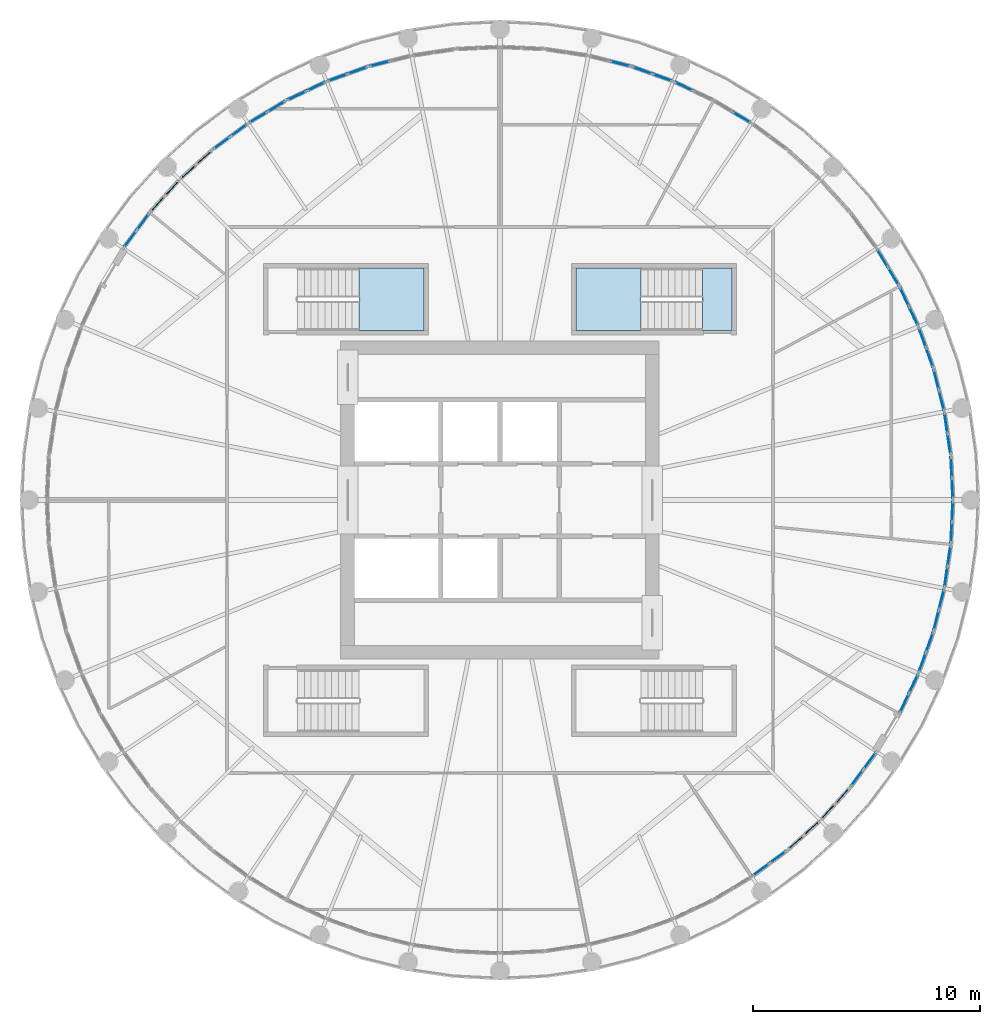
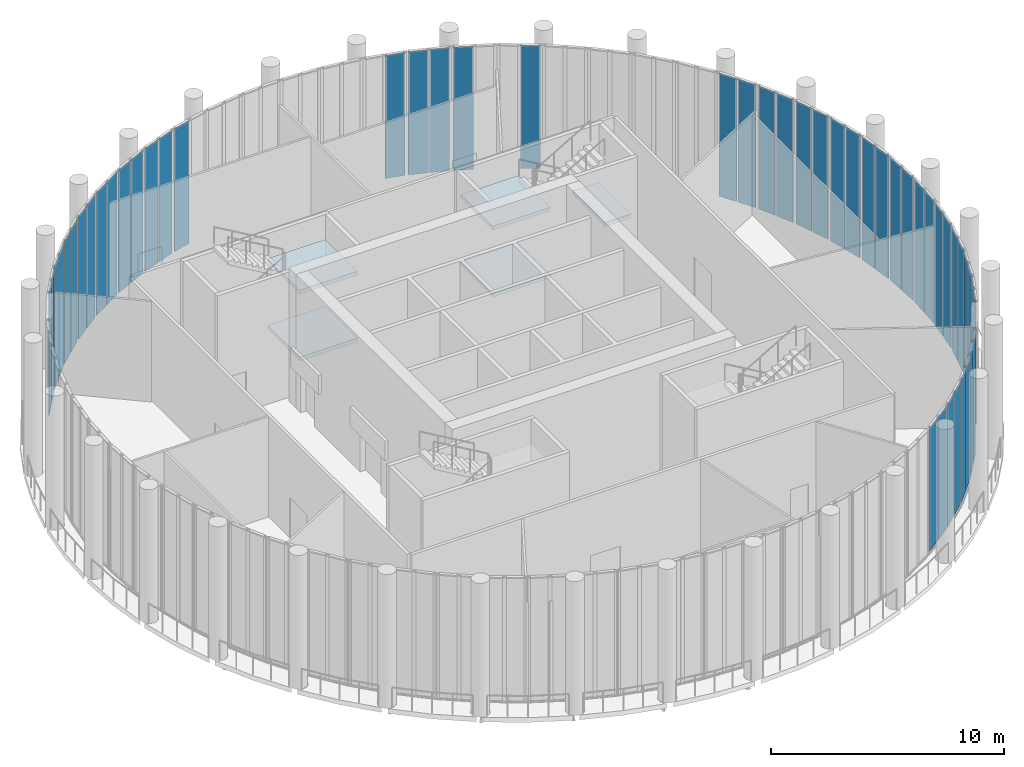
# One storey, part 14 of 21: 50 plates, 5 slabs, 29 elements without a shape of their own.
"""IFC4 building model written with IfcOpenShell, lengths in metres."""

from ifc_helpers import new_model, si_unit, direction, frame, origin, origin_2d, place, context, subcontext, project, spatial, polyline, rectangle, outline, extrude, material, layer, layer_set, type_object, element, aggregate, save


model = new_model("IFC4")

# Units and contexts
model_context = context("Model", 3, precision=1e-05, world=origin(), true_north=direction((0.0, 1.0)))
body_context = subcontext(model_context, "Body", "Model", "MODEL_VIEW")
ifc_project = project(units=[si_unit("LENGTHUNIT", "METRE"), si_unit("AREAUNIT", "SQUARE_METRE"), si_unit("VOLUMEUNIT", "CUBIC_METRE"), si_unit("PLANEANGLEUNIT", "RADIAN"), si_unit("MASSUNIT", "GRAM", prefix="KILO")], contexts=[model_context])

# Site, building, storey
site_placement = place(None, origin())
site = spatial("IfcSite", under=ifc_project, at=site_placement, CompositionType="ELEMENT")
building_placement = place(site_placement, origin())
building = spatial("IfcBuilding", under=site, at=building_placement, Name="Corvane Civic Tower", CompositionType="ELEMENT")
storey_placement = place(building_placement, frame((0.0, 0.0, 380.5)))
storey = spatial("IfcBuildingStorey", under=building, at=storey_placement, Name="L91", CompositionType="ELEMENT", Elevation=380.5)

# Curtain wall, plate
ifc_material_1 = material(Name="Aluminium and glass", Category="aluminium")
curtain_wall_type = type_object("IfcCurtainWallType", Name="CROWN-CW-O-RUN", PredefinedType="NOTDEFINED", material=ifc_material_1)
curtain_wall_1_placement = place(storey_placement, origin())
curtain_wall_1 = element("IfcCurtainWall", 1, at=curtain_wall_1_placement, inside=storey, type_object=curtain_wall_type, Name="CW-O run L91 3", PredefinedType="NOTDEFINED")
ifc_material_2 = material(Name="Glass tinted low-e laminated", Category="glass")
ifc_layer_1 = layer(ifc_material_2, 0.035888671875)
ifc_layer_set_1 = layer_set([ifc_layer_1], Name="Glass tinted low-e laminated")
plate_type = type_object("IfcPlateType", Name="CROWN-CWO-PANEL-IGU36", PredefinedType="CURTAIN_PANEL", material=ifc_layer_set_1)
plate_1_placement = place(storey_placement, frame((-5.28369140625, 19.177001953125, 0.06005859375), z_axis=(0.0, 0.0, 1.0), x_axis=(-0.970038385347, -0.242951704982, 0.0)))
plate_1 = element("IfcPlate", 2, at=plate_1_placement, type_object=plate_type, Name="CW-O panel 2.1", PredefinedType="CURTAIN_PANEL", context=body_context, shape_type="SweptSolid", body=[
    extrude(rectangle(XDim=0.871337890625, YDim=0.035888671875, at=origin_2d()), origin(), (0.0, 0.0, 1.0), 6.429931640625),
])
aggregate(curtain_wall_1, [plate_1])

# Curtain wall, plates
curtain_wall_2_placement = place(storey_placement, origin())
curtain_wall_2 = element("IfcCurtainWall", 3, at=curtain_wall_2_placement, inside=storey, type_object=curtain_wall_type, Name="CW-O run L91 4", PredefinedType="NOTDEFINED")
plate_2_placement = place(storey_placement, frame((-6.260986328125, 18.88037109375, 0.06005859375), z_axis=(0.0, 0.0, 1.0), x_axis=(-0.941511051216, -0.336982106999, 0.0)))
plate_2 = element("IfcPlate", 4, at=plate_2_placement, type_object=plate_type, Name="CW-O panel 1.1", PredefinedType="CURTAIN_PANEL", context=body_context, shape_type="SweptSolid", body=[
    extrude(rectangle(XDim=0.871337890625, YDim=0.035888671875, at=origin_2d()), origin(), (0.0, 0.0, 1.0), 6.429931640625),
])
plate_3_placement = place(storey_placement, frame((-7.1376953125, 18.566650390625, 0.06005859375), z_axis=(0.0, 0.0, 1.0), x_axis=(-0.941511051216, -0.336982106999, 0.0)))
plate_3 = element("IfcPlate", 5, at=plate_3_placement, type_object=plate_type, Name="CW-O panel 2.1", PredefinedType="CURTAIN_PANEL", context=body_context, shape_type="SweptSolid", body=[
    extrude(rectangle(XDim=0.871337890625, YDim=0.035888671875, at=origin_2d()), origin(), (0.0, 0.0, 1.0), 6.429931640625),
])
aggregate(curtain_wall_2, [plate_2, plate_3])

curtain_wall_3_placement = place(storey_placement, origin())
curtain_wall_3 = element("IfcCurtainWall", 6, at=curtain_wall_3_placement, inside=storey, type_object=curtain_wall_type, Name="CW-O run L91 5", PredefinedType="NOTDEFINED")
plate_4_placement = place(storey_placement, frame((-8.081298828125, 18.17578125, 0.06005859375), z_axis=(0.0, 0.0, 1.0), x_axis=(-0.904010875684, -0.427509457959, 0.0)))
plate_4 = element("IfcPlate", 7, at=plate_4_placement, type_object=plate_type, Name="CW-O panel 1.1", PredefinedType="CURTAIN_PANEL", context=body_context, shape_type="SweptSolid", body=[
    extrude(rectangle(XDim=0.871337890625, YDim=0.035888671875, at=origin_2d()), origin(), (0.0, 0.0, 1.0), 6.429931640625),
])
plate_5_placement = place(storey_placement, frame((-8.92333984375, 17.777587890625, 0.06005859375), z_axis=(0.0, 0.0, 1.0), x_axis=(-0.904010875684, -0.427509457959, 0.0)))
plate_5 = element("IfcPlate", 8, at=plate_5_placement, type_object=plate_type, Name="CW-O panel 2.1", PredefinedType="CURTAIN_PANEL", context=body_context, shape_type="SweptSolid", body=[
    extrude(rectangle(XDim=0.871337890625, YDim=0.035888671875, at=origin_2d()), origin(), (0.0, 0.0, 1.0), 6.429931640625),
])
aggregate(curtain_wall_3, [plate_4, plate_5])

curtain_wall_4_placement = place(storey_placement, origin())
curtain_wall_4 = element("IfcCurtainWall", 9, at=curtain_wall_4_placement, inside=storey, type_object=curtain_wall_type, Name="CW-O run L91 6", PredefinedType="NOTDEFINED")
plate_6_placement = place(storey_placement, frame((-9.823974609375, 17.296142578125, 0.06005859375), z_axis=(0.0, 0.0, 1.0), x_axis=(-0.857699380043, -0.514151508287, 0.0)))
plate_6 = element("IfcPlate", 10, at=plate_6_placement, type_object=plate_type, Name="CW-O panel 1.1", PredefinedType="CURTAIN_PANEL", context=body_context, shape_type="SweptSolid", body=[
    extrude(rectangle(XDim=0.871337890625, YDim=0.035888671875, at=origin_2d()), origin(), (0.0, 0.0, 1.0), 6.429931640625),
])
plate_7_placement = place(storey_placement, frame((-10.622802734375, 16.8173828125, 0.06005859375), z_axis=(0.0, 0.0, 1.0), x_axis=(-0.857699380043, -0.514151508287, 0.0)))
plate_7 = element("IfcPlate", 11, at=plate_7_placement, type_object=plate_type, Name="CW-O panel 2.1", PredefinedType="CURTAIN_PANEL", context=body_context, shape_type="SweptSolid", body=[
    extrude(rectangle(XDim=0.871337890625, YDim=0.035888671875, at=origin_2d()), origin(), (0.0, 0.0, 1.0), 6.429931640625),
])
aggregate(curtain_wall_4, [plate_6, plate_7])

curtain_wall_5_placement = place(storey_placement, origin())
curtain_wall_5 = element("IfcCurtainWall", 12, at=curtain_wall_5_placement, inside=storey, type_object=curtain_wall_type, Name="CW-O run L91 7", PredefinedType="NOTDEFINED")
plate_8_placement = place(storey_placement, frame((-11.471923828125, 16.25, 0.06005859375), z_axis=(0.0, 0.0, 1.0), x_axis=(-0.803190345058, -0.595722477003, 0.0)))
plate_8 = element("IfcPlate", 13, at=plate_8_placement, type_object=plate_type, Name="CW-O panel 1.1", PredefinedType="CURTAIN_PANEL", context=body_context, shape_type="SweptSolid", body=[
    extrude(rectangle(XDim=0.871337890625, YDim=0.035888671875, at=origin_2d()), origin(), (0.0, 0.0, 1.0), 6.429931640625),
])
plate_9_placement = place(storey_placement, frame((-12.219970703125, 15.695068359375, 0.06005859375), z_axis=(0.0, 0.0, 1.0), x_axis=(-0.803190345058, -0.595722477003, 0.0)))
plate_9 = element("IfcPlate", 14, at=plate_9_placement, type_object=plate_type, Name="CW-O panel 2.1", PredefinedType="CURTAIN_PANEL", context=body_context, shape_type="SweptSolid", body=[
    extrude(rectangle(XDim=0.871337890625, YDim=0.035888671875, at=origin_2d()), origin(), (0.0, 0.0, 1.0), 6.429931640625),
])
aggregate(curtain_wall_5, [plate_8, plate_9])

curtain_wall_6_placement = place(storey_placement, origin())
curtain_wall_6 = element("IfcCurtainWall", 15, at=curtain_wall_6_placement, inside=storey, type_object=curtain_wall_type, Name="CW-O run L91 8", PredefinedType="NOTDEFINED")
plate_10_placement = place(storey_placement, frame((-13.00927734375, 15.047119140625, 0.06005859375), z_axis=(0.0, 0.0, 1.0), x_axis=(-0.740944089448, -0.671566717692, 0.0)))
plate_10 = element("IfcPlate", 16, at=plate_10_placement, type_object=plate_type, Name="CW-O panel 1.1", PredefinedType="CURTAIN_PANEL", context=body_context, shape_type="SweptSolid", body=[
    extrude(rectangle(XDim=0.871337890625, YDim=0.035888671875, at=origin_2d()), origin(), (0.0, 0.0, 1.0), 6.429931640625),
])
plate_11_placement = place(storey_placement, frame((-13.699462890625, 14.421630859375, 0.06005859375), z_axis=(0.0, 0.0, 1.0), x_axis=(-0.740944089448, -0.671566717692, 0.0)))
plate_11 = element("IfcPlate", 17, at=plate_11_placement, type_object=plate_type, Name="CW-O panel 2.1", PredefinedType="CURTAIN_PANEL", context=body_context, shape_type="SweptSolid", body=[
    extrude(rectangle(XDim=0.871337890625, YDim=0.035888671875, at=origin_2d()), origin(), (0.0, 0.0, 1.0), 6.429931640625),
])
aggregate(curtain_wall_6, [plate_10, plate_11])

curtain_wall_7_placement = place(storey_placement, origin())
curtain_wall_7 = element("IfcCurtainWall", 18, at=curtain_wall_7_placement, inside=storey, type_object=curtain_wall_type, Name="CW-O run L91 9", PredefinedType="NOTDEFINED")
plate_12_placement = place(storey_placement, frame((-14.421630859375, 13.699462890625, 0.06005859375), z_axis=(0.0, 0.0, 1.0), x_axis=(-0.671566717692, -0.740944089448, 0.0)))
plate_12 = element("IfcPlate", 19, at=plate_12_placement, type_object=plate_type, Name="CW-O panel 1.1", PredefinedType="CURTAIN_PANEL", context=body_context, shape_type="SweptSolid", body=[
    extrude(rectangle(XDim=0.871337890625, YDim=0.035888671875, at=origin_2d()), origin(), (0.0, 0.0, 1.0), 6.429931640625),
])
plate_13_placement = place(storey_placement, frame((-15.047119140625, 13.00927734375, 0.06005859375), z_axis=(0.0, 0.0, 1.0), x_axis=(-0.671566717692, -0.740944089448, 0.0)))
plate_13 = element("IfcPlate", 20, at=plate_13_placement, type_object=plate_type, Name="CW-O panel 2.1", PredefinedType="CURTAIN_PANEL", context=body_context, shape_type="SweptSolid", body=[
    extrude(rectangle(XDim=0.871337890625, YDim=0.035888671875, at=origin_2d()), origin(), (0.0, 0.0, 1.0), 6.429931640625),
])
aggregate(curtain_wall_7, [plate_12, plate_13])

curtain_wall_8_placement = place(storey_placement, origin())
curtain_wall_8 = element("IfcCurtainWall", 21, at=curtain_wall_8_placement, inside=storey, type_object=curtain_wall_type, Name="CW-O run L91 10", PredefinedType="NOTDEFINED")
plate_14_placement = place(storey_placement, frame((-15.695068359375, 12.219970703125, 0.06005859375), z_axis=(0.0, 0.0, 1.0), x_axis=(-0.595722477003, -0.803190345058, 0.0)))
plate_14 = element("IfcPlate", 22, at=plate_14_placement, type_object=plate_type, Name="CW-O panel 1.1", PredefinedType="CURTAIN_PANEL", context=body_context, shape_type="SweptSolid", body=[
    extrude(rectangle(XDim=0.871337890625, YDim=0.035888671875, at=origin_2d()), origin(), (0.0, 0.0, 1.0), 6.429931640625),
])
plate_15_placement = place(storey_placement, frame((-16.25, 11.471923828125, 0.06005859375), z_axis=(0.0, 0.0, 1.0), x_axis=(-0.595722477003, -0.803190345058, 0.0)))
plate_15 = element("IfcPlate", 23, at=plate_15_placement, type_object=plate_type, Name="CW-O panel 2.1", PredefinedType="CURTAIN_PANEL", context=body_context, shape_type="SweptSolid", body=[
    extrude(rectangle(XDim=0.871337890625, YDim=0.035888671875, at=origin_2d()), origin(), (0.0, 0.0, 1.0), 6.429931640625),
])
aggregate(curtain_wall_8, [plate_14, plate_15])

curtain_wall_9_placement = place(storey_placement, origin())
curtain_wall_9 = element("IfcCurtainWall", 24, at=curtain_wall_9_placement, inside=storey, type_object=curtain_wall_type, Name="CW-O run L91 39", PredefinedType="NOTDEFINED")
plate_16_placement = place(storey_placement, frame((11.471923828125, -16.25, 0.06005859375), z_axis=(0.0, 0.0, 1.0), x_axis=(0.803190345058, 0.595722477003, 0.0)))
plate_16 = element("IfcPlate", 25, at=plate_16_placement, type_object=plate_type, Name="CW-O panel 1.1", PredefinedType="CURTAIN_PANEL", context=body_context, shape_type="SweptSolid", body=[
    extrude(rectangle(XDim=0.871337890625, YDim=0.035888671875, at=origin_2d()), origin(), (0.0, 0.0, 1.0), 6.429931640625),
])
plate_17_placement = place(storey_placement, frame((12.219970703125, -15.695068359375, 0.06005859375), z_axis=(0.0, 0.0, 1.0), x_axis=(0.803190345058, 0.595722477003, 0.0)))
plate_17 = element("IfcPlate", 26, at=plate_17_placement, type_object=plate_type, Name="CW-O panel 2.1", PredefinedType="CURTAIN_PANEL", context=body_context, shape_type="SweptSolid", body=[
    extrude(rectangle(XDim=0.871337890625, YDim=0.035888671875, at=origin_2d()), origin(), (0.0, 0.0, 1.0), 6.429931640625),
])
aggregate(curtain_wall_9, [plate_16, plate_17])

curtain_wall_10_placement = place(storey_placement, origin())
curtain_wall_10 = element("IfcCurtainWall", 27, at=curtain_wall_10_placement, inside=storey, type_object=curtain_wall_type, Name="CW-O run L91 40", PredefinedType="NOTDEFINED")
plate_18_placement = place(storey_placement, frame((13.00927734375, -15.047119140625, 0.06005859375), z_axis=(0.0, 0.0, 1.0), x_axis=(0.740944089448, 0.671566717692, 0.0)))
plate_18 = element("IfcPlate", 28, at=plate_18_placement, type_object=plate_type, Name="CW-O panel 1.1", PredefinedType="CURTAIN_PANEL", context=body_context, shape_type="SweptSolid", body=[
    extrude(rectangle(XDim=0.871337890625, YDim=0.035888671875, at=origin_2d()), origin(), (0.0, 0.0, 1.0), 6.429931640625),
])
plate_19_placement = place(storey_placement, frame((13.699462890625, -14.421630859375, 0.06005859375), z_axis=(0.0, 0.0, 1.0), x_axis=(0.740944089448, 0.671566717692, 0.0)))
plate_19 = element("IfcPlate", 29, at=plate_19_placement, type_object=plate_type, Name="CW-O panel 2.1", PredefinedType="CURTAIN_PANEL", context=body_context, shape_type="SweptSolid", body=[
    extrude(rectangle(XDim=0.871337890625, YDim=0.035888671875, at=origin_2d()), origin(), (0.0, 0.0, 1.0), 6.429931640625),
])
aggregate(curtain_wall_10, [plate_18, plate_19])

curtain_wall_11_placement = place(storey_placement, origin())
curtain_wall_11 = element("IfcCurtainWall", 30, at=curtain_wall_11_placement, inside=storey, type_object=curtain_wall_type, Name="CW-O run L91 41", PredefinedType="NOTDEFINED")
plate_20_placement = place(storey_placement, frame((14.421630859375, -13.699462890625, 0.06005859375), z_axis=(0.0, 0.0, 1.0), x_axis=(0.671566717692, 0.740944089448, 0.0)))
plate_20 = element("IfcPlate", 31, at=plate_20_placement, type_object=plate_type, Name="CW-O panel 1.1", PredefinedType="CURTAIN_PANEL", context=body_context, shape_type="SweptSolid", body=[
    extrude(rectangle(XDim=0.871337890625, YDim=0.035888671875, at=origin_2d()), origin(), (0.0, 0.0, 1.0), 6.429931640625),
])
plate_21_placement = place(storey_placement, frame((15.047119140625, -13.00927734375, 0.06005859375), z_axis=(0.0, 0.0, 1.0), x_axis=(0.671566717692, 0.740944089448, 0.0)))
plate_21 = element("IfcPlate", 32, at=plate_21_placement, type_object=plate_type, Name="CW-O panel 2.1", PredefinedType="CURTAIN_PANEL", context=body_context, shape_type="SweptSolid", body=[
    extrude(rectangle(XDim=0.871337890625, YDim=0.035888671875, at=origin_2d()), origin(), (0.0, 0.0, 1.0), 6.429931640625),
])
aggregate(curtain_wall_11, [plate_20, plate_21])

curtain_wall_12_placement = place(storey_placement, origin())
curtain_wall_12 = element("IfcCurtainWall", 33, at=curtain_wall_12_placement, inside=storey, type_object=curtain_wall_type, Name="CW-O run L91 42", PredefinedType="NOTDEFINED")
plate_22_placement = place(storey_placement, frame((15.695068359375, -12.219970703125, 0.06005859375), z_axis=(0.0, 0.0, 1.0), x_axis=(0.595722477003, 0.803190345058, 0.0)))
plate_22 = element("IfcPlate", 34, at=plate_22_placement, type_object=plate_type, Name="CW-O panel 1.1", PredefinedType="CURTAIN_PANEL", context=body_context, shape_type="SweptSolid", body=[
    extrude(rectangle(XDim=0.871337890625, YDim=0.035888671875, at=origin_2d()), origin(), (0.0, 0.0, 1.0), 6.429931640625),
])
plate_23_placement = place(storey_placement, frame((16.25, -11.471923828125, 0.06005859375), z_axis=(0.0, 0.0, 1.0), x_axis=(0.595722477003, 0.803190345058, 0.0)))
plate_23 = element("IfcPlate", 35, at=plate_23_placement, type_object=plate_type, Name="CW-O panel 2.1", PredefinedType="CURTAIN_PANEL", context=body_context, shape_type="SweptSolid", body=[
    extrude(rectangle(XDim=0.871337890625, YDim=0.035888671875, at=origin_2d()), origin(), (0.0, 0.0, 1.0), 6.429931640625),
])
aggregate(curtain_wall_12, [plate_22, plate_23])

curtain_wall_13_placement = place(storey_placement, origin())
curtain_wall_13 = element("IfcCurtainWall", 36, at=curtain_wall_13_placement, inside=storey, type_object=curtain_wall_type, Name="CW-O run L91 44", PredefinedType="NOTDEFINED")
plate_24_placement = place(storey_placement, frame((17.777587890625, -8.92333984375, 0.06005859375), z_axis=(0.0, 0.0, 1.0), x_axis=(0.427509457959, 0.904010875684, 0.0)))
plate_24 = element("IfcPlate", 37, at=plate_24_placement, type_object=plate_type, Name="CW-O panel 1.1", PredefinedType="CURTAIN_PANEL", context=body_context, shape_type="SweptSolid", body=[
    extrude(rectangle(XDim=0.871337890625, YDim=0.035888671875, at=origin_2d()), origin(), (0.0, 0.0, 1.0), 6.429931640625),
])
plate_25_placement = place(storey_placement, frame((18.17578125, -8.081298828125, 0.06005859375), z_axis=(0.0, 0.0, 1.0), x_axis=(0.427509457959, 0.904010875684, 0.0)))
plate_25 = element("IfcPlate", 38, at=plate_25_placement, type_object=plate_type, Name="CW-O panel 2.1", PredefinedType="CURTAIN_PANEL", context=body_context, shape_type="SweptSolid", body=[
    extrude(rectangle(XDim=0.871337890625, YDim=0.035888671875, at=origin_2d()), origin(), (0.0, 0.0, 1.0), 6.429931640625),
])
aggregate(curtain_wall_13, [plate_24, plate_25])

curtain_wall_14_placement = place(storey_placement, origin())
curtain_wall_14 = element("IfcCurtainWall", 39, at=curtain_wall_14_placement, inside=storey, type_object=curtain_wall_type, Name="CW-O run L91 45", PredefinedType="NOTDEFINED")
plate_26_placement = place(storey_placement, frame((18.566650390625, -7.1376953125, 0.06005859375), z_axis=(0.0, 0.0, 1.0), x_axis=(0.336982106999, 0.941511051216, 0.0)))
plate_26 = element("IfcPlate", 40, at=plate_26_placement, type_object=plate_type, Name="CW-O panel 1.1", PredefinedType="CURTAIN_PANEL", context=body_context, shape_type="SweptSolid", body=[
    extrude(rectangle(XDim=0.871337890625, YDim=0.035888671875, at=origin_2d()), origin(), (0.0, 0.0, 1.0), 6.429931640625),
])
plate_27_placement = place(storey_placement, frame((18.88037109375, -6.260986328125, 0.06005859375), z_axis=(0.0, 0.0, 1.0), x_axis=(0.336982106999, 0.941511051216, 0.0)))
plate_27 = element("IfcPlate", 41, at=plate_27_placement, type_object=plate_type, Name="CW-O panel 2.1", PredefinedType="CURTAIN_PANEL", context=body_context, shape_type="SweptSolid", body=[
    extrude(rectangle(XDim=0.871337890625, YDim=0.035888671875, at=origin_2d()), origin(), (0.0, 0.0, 1.0), 6.429931640625),
])
aggregate(curtain_wall_14, [plate_26, plate_27])

curtain_wall_15_placement = place(storey_placement, origin())
curtain_wall_15 = element("IfcCurtainWall", 42, at=curtain_wall_15_placement, inside=storey, type_object=curtain_wall_type, Name="CW-O run L91 46", PredefinedType="NOTDEFINED")
plate_28_placement = place(storey_placement, frame((19.177001953125, -5.28369140625, 0.06005859375), z_axis=(0.0, 0.0, 1.0), x_axis=(0.242951704982, 0.970038385347, 0.0)))
plate_28 = element("IfcPlate", 43, at=plate_28_placement, type_object=plate_type, Name="CW-O panel 1.1", PredefinedType="CURTAIN_PANEL", context=body_context, shape_type="SweptSolid", body=[
    extrude(rectangle(XDim=0.871337890625, YDim=0.035888671875, at=origin_2d()), origin(), (0.0, 0.0, 1.0), 6.429931640625),
])
plate_29_placement = place(storey_placement, frame((19.403076171875, -4.380126953125, 0.06005859375), z_axis=(0.0, 0.0, 1.0), x_axis=(0.242951704982, 0.970038385347, 0.0)))
plate_29 = element("IfcPlate", 44, at=plate_29_placement, type_object=plate_type, Name="CW-O panel 2.1", PredefinedType="CURTAIN_PANEL", context=body_context, shape_type="SweptSolid", body=[
    extrude(rectangle(XDim=0.871337890625, YDim=0.035888671875, at=origin_2d()), origin(), (0.0, 0.0, 1.0), 6.429931640625),
])
aggregate(curtain_wall_15, [plate_28, plate_29])

curtain_wall_16_placement = place(storey_placement, origin())
curtain_wall_16 = element("IfcCurtainWall", 45, at=curtain_wall_16_placement, inside=storey, type_object=curtain_wall_type, Name="CW-O run L91 47", PredefinedType="NOTDEFINED")
plate_30_placement = place(storey_placement, frame((19.602294921875, -3.378662109375, 0.06005859375), z_axis=(0.0, 0.0, 1.0), x_axis=(0.146771076941, 0.989170486303, 0.0)))
plate_30 = element("IfcPlate", 46, at=plate_30_placement, type_object=plate_type, Name="CW-O panel 1.1", PredefinedType="CURTAIN_PANEL", context=body_context, shape_type="SweptSolid", body=[
    extrude(rectangle(XDim=0.871337890625, YDim=0.035888671875, at=origin_2d()), origin(), (0.0, 0.0, 1.0), 6.429931640625),
])
plate_31_placement = place(storey_placement, frame((19.739013671875, -2.457275390625, 0.06005859375), z_axis=(0.0, 0.0, 1.0), x_axis=(0.146771076941, 0.989170486303, 0.0)))
plate_31 = element("IfcPlate", 47, at=plate_31_placement, type_object=plate_type, Name="CW-O panel 2.1", PredefinedType="CURTAIN_PANEL", context=body_context, shape_type="SweptSolid", body=[
    extrude(rectangle(XDim=0.871337890625, YDim=0.035888671875, at=origin_2d()), origin(), (0.0, 0.0, 1.0), 6.429931640625),
])
aggregate(curtain_wall_16, [plate_30, plate_31])

curtain_wall_17_placement = place(storey_placement, origin())
curtain_wall_17 = element("IfcCurtainWall", 48, at=curtain_wall_17_placement, inside=storey, type_object=curtain_wall_type, Name="CW-O run L91 48", PredefinedType="NOTDEFINED")
plate_32_placement = place(storey_placement, frame((19.839111328125, -1.44091796875, 0.06005859375), z_axis=(0.0, 0.0, 1.0), x_axis=(0.048990829113, 0.998799228405, 0.0)))
plate_32 = element("IfcPlate", 49, at=plate_32_placement, type_object=plate_type, Name="CW-O panel 1.1", PredefinedType="CURTAIN_PANEL", context=body_context, shape_type="SweptSolid", body=[
    extrude(rectangle(XDim=0.871337890625, YDim=0.035888671875, at=origin_2d()), origin(), (0.0, 0.0, 1.0), 6.429931640625),
])
plate_33_placement = place(storey_placement, frame((19.884765625, -0.5107421875, 0.06005859375), z_axis=(0.0, 0.0, 1.0), x_axis=(0.048990829113, 0.998799228405, 0.0)))
plate_33 = element("IfcPlate", 50, at=plate_33_placement, type_object=plate_type, Name="CW-O panel 2.1", PredefinedType="CURTAIN_PANEL", context=body_context, shape_type="SweptSolid", body=[
    extrude(rectangle(XDim=0.871337890625, YDim=0.035888671875, at=origin_2d()), origin(), (0.0, 0.0, 1.0), 6.429931640625),
])
aggregate(curtain_wall_17, [plate_32, plate_33])

curtain_wall_18_placement = place(storey_placement, origin())
curtain_wall_18 = element("IfcCurtainWall", 51, at=curtain_wall_18_placement, inside=storey, type_object=curtain_wall_type, Name="CW-O run L91 49", PredefinedType="NOTDEFINED")
plate_34_placement = place(storey_placement, frame((19.884765625, 0.5107421875, 0.06005859375), z_axis=(0.0, 0.0, 1.0), x_axis=(-0.048990829113, 0.998799228405, 0.0)))
plate_34 = element("IfcPlate", 52, at=plate_34_placement, type_object=plate_type, Name="CW-O panel 1.1", PredefinedType="CURTAIN_PANEL", context=body_context, shape_type="SweptSolid", body=[
    extrude(rectangle(XDim=0.871337890625, YDim=0.035888671875, at=origin_2d()), origin(), (0.0, 0.0, 1.0), 6.429931640625),
])
plate_35_placement = place(storey_placement, frame((19.839111328125, 1.44091796875, 0.06005859375), z_axis=(0.0, 0.0, 1.0), x_axis=(-0.048990829113, 0.998799228405, 0.0)))
plate_35 = element("IfcPlate", 53, at=plate_35_placement, type_object=plate_type, Name="CW-O panel 2.1", PredefinedType="CURTAIN_PANEL", context=body_context, shape_type="SweptSolid", body=[
    extrude(rectangle(XDim=0.871337890625, YDim=0.035888671875, at=origin_2d()), origin(), (0.0, 0.0, 1.0), 6.429931640625),
])
aggregate(curtain_wall_18, [plate_34, plate_35])

curtain_wall_19_placement = place(storey_placement, origin())
curtain_wall_19 = element("IfcCurtainWall", 54, at=curtain_wall_19_placement, inside=storey, type_object=curtain_wall_type, Name="CW-O run L91 50", PredefinedType="NOTDEFINED")
plate_36_placement = place(storey_placement, frame((19.739013671875, 2.457275390625, 0.06005859375), z_axis=(0.0, 0.0, 1.0), x_axis=(-0.146771076941, 0.989170486303, 0.0)))
plate_36 = element("IfcPlate", 55, at=plate_36_placement, type_object=plate_type, Name="CW-O panel 1.1", PredefinedType="CURTAIN_PANEL", context=body_context, shape_type="SweptSolid", body=[
    extrude(rectangle(XDim=0.871337890625, YDim=0.035888671875, at=origin_2d()), origin(), (0.0, 0.0, 1.0), 6.429931640625),
])
plate_37_placement = place(storey_placement, frame((19.602294921875, 3.378662109375, 0.06005859375), z_axis=(0.0, 0.0, 1.0), x_axis=(-0.146771076941, 0.989170486303, 0.0)))
plate_37 = element("IfcPlate", 56, at=plate_37_placement, type_object=plate_type, Name="CW-O panel 2.1", PredefinedType="CURTAIN_PANEL", context=body_context, shape_type="SweptSolid", body=[
    extrude(rectangle(XDim=0.871337890625, YDim=0.035888671875, at=origin_2d()), origin(), (0.0, 0.0, 1.0), 6.429931640625),
])
aggregate(curtain_wall_19, [plate_36, plate_37])

curtain_wall_20_placement = place(storey_placement, origin())
curtain_wall_20 = element("IfcCurtainWall", 57, at=curtain_wall_20_placement, inside=storey, type_object=curtain_wall_type, Name="CW-O run L91 51", PredefinedType="NOTDEFINED")
plate_38_placement = place(storey_placement, frame((19.403076171875, 4.380126953125, 0.06005859375), z_axis=(0.0, 0.0, 1.0), x_axis=(-0.242951704982, 0.970038385347, 0.0)))
plate_38 = element("IfcPlate", 58, at=plate_38_placement, type_object=plate_type, Name="CW-O panel 1.1", PredefinedType="CURTAIN_PANEL", context=body_context, shape_type="SweptSolid", body=[
    extrude(rectangle(XDim=0.871337890625, YDim=0.035888671875, at=origin_2d()), origin(), (0.0, 0.0, 1.0), 6.429931640625),
])
plate_39_placement = place(storey_placement, frame((19.177001953125, 5.28369140625, 0.06005859375), z_axis=(0.0, 0.0, 1.0), x_axis=(-0.242951704982, 0.970038385347, 0.0)))
plate_39 = element("IfcPlate", 59, at=plate_39_placement, type_object=plate_type, Name="CW-O panel 2.1", PredefinedType="CURTAIN_PANEL", context=body_context, shape_type="SweptSolid", body=[
    extrude(rectangle(XDim=0.871337890625, YDim=0.035888671875, at=origin_2d()), origin(), (0.0, 0.0, 1.0), 6.429931640625),
])
aggregate(curtain_wall_20, [plate_38, plate_39])

curtain_wall_21_placement = place(storey_placement, origin())
curtain_wall_21 = element("IfcCurtainWall", 60, at=curtain_wall_21_placement, inside=storey, type_object=curtain_wall_type, Name="CW-O run L91 52", PredefinedType="NOTDEFINED")
plate_40_placement = place(storey_placement, frame((18.88037109375, 6.260986328125, 0.06005859375), z_axis=(0.0, 0.0, 1.0), x_axis=(-0.336982106999, 0.941511051216, 0.0)))
plate_40 = element("IfcPlate", 61, at=plate_40_placement, type_object=plate_type, Name="CW-O panel 1.1", PredefinedType="CURTAIN_PANEL", context=body_context, shape_type="SweptSolid", body=[
    extrude(rectangle(XDim=0.871337890625, YDim=0.035888671875, at=origin_2d()), origin(), (0.0, 0.0, 1.0), 6.429931640625),
])
plate_41_placement = place(storey_placement, frame((18.566650390625, 7.1376953125, 0.06005859375), z_axis=(0.0, 0.0, 1.0), x_axis=(-0.336982106999, 0.941511051216, 0.0)))
plate_41 = element("IfcPlate", 62, at=plate_41_placement, type_object=plate_type, Name="CW-O panel 2.1", PredefinedType="CURTAIN_PANEL", context=body_context, shape_type="SweptSolid", body=[
    extrude(rectangle(XDim=0.871337890625, YDim=0.035888671875, at=origin_2d()), origin(), (0.0, 0.0, 1.0), 6.429931640625),
])
aggregate(curtain_wall_21, [plate_40, plate_41])

curtain_wall_22_placement = place(storey_placement, origin())
curtain_wall_22 = element("IfcCurtainWall", 63, at=curtain_wall_22_placement, inside=storey, type_object=curtain_wall_type, Name="CW-O run L91 53", PredefinedType="NOTDEFINED")
plate_42_placement = place(storey_placement, frame((18.17578125, 8.081298828125, 0.06005859375), z_axis=(0.0, 0.0, 1.0), x_axis=(-0.427509457959, 0.904010875684, 0.0)))
plate_42 = element("IfcPlate", 64, at=plate_42_placement, type_object=plate_type, Name="CW-O panel 1.1", PredefinedType="CURTAIN_PANEL", context=body_context, shape_type="SweptSolid", body=[
    extrude(rectangle(XDim=0.871337890625, YDim=0.035888671875, at=origin_2d()), origin(), (0.0, 0.0, 1.0), 6.429931640625),
])
plate_43_placement = place(storey_placement, frame((17.777587890625, 8.92333984375, 0.06005859375), z_axis=(0.0, 0.0, 1.0), x_axis=(-0.427509457959, 0.904010875684, 0.0)))
plate_43 = element("IfcPlate", 65, at=plate_43_placement, type_object=plate_type, Name="CW-O panel 2.1", PredefinedType="CURTAIN_PANEL", context=body_context, shape_type="SweptSolid", body=[
    extrude(rectangle(XDim=0.871337890625, YDim=0.035888671875, at=origin_2d()), origin(), (0.0, 0.0, 1.0), 6.429931640625),
])
aggregate(curtain_wall_22, [plate_42, plate_43])

curtain_wall_23_placement = place(storey_placement, origin())
curtain_wall_23 = element("IfcCurtainWall", 66, at=curtain_wall_23_placement, inside=storey, type_object=curtain_wall_type, Name="CW-O run L91 54", PredefinedType="NOTDEFINED")
plate_44_placement = place(storey_placement, frame((17.296142578125, 9.823974609375, 0.06005859375), z_axis=(0.0, 0.0, 1.0), x_axis=(-0.514151508287, 0.857699380043, 0.0)))
plate_44 = element("IfcPlate", 67, at=plate_44_placement, type_object=plate_type, Name="CW-O panel 1.1", PredefinedType="CURTAIN_PANEL", context=body_context, shape_type="SweptSolid", body=[
    extrude(rectangle(XDim=0.871337890625, YDim=0.035888671875, at=origin_2d()), origin(), (0.0, 0.0, 1.0), 6.429931640625),
])
plate_45_placement = place(storey_placement, frame((16.8173828125, 10.622802734375, 0.06005859375), z_axis=(0.0, 0.0, 1.0), x_axis=(-0.514151508287, 0.857699380043, 0.0)))
plate_45 = element("IfcPlate", 68, at=plate_45_placement, type_object=plate_type, Name="CW-O panel 2.1", PredefinedType="CURTAIN_PANEL", context=body_context, shape_type="SweptSolid", body=[
    extrude(rectangle(XDim=0.871337890625, YDim=0.035888671875, at=origin_2d()), origin(), (0.0, 0.0, 1.0), 6.429931640625),
])
aggregate(curtain_wall_23, [plate_44, plate_45])

# Curtain wall, plate
curtain_wall_24_placement = place(storey_placement, origin())
curtain_wall_24 = element("IfcCurtainWall", 69, at=curtain_wall_24_placement, inside=storey, type_object=curtain_wall_type, Name="CW-O run L91 59", PredefinedType="NOTDEFINED")
plate_46_placement = place(storey_placement, frame((10.622802734375, 16.8173828125, 0.06005859375), z_axis=(0.0, 0.0, 1.0), x_axis=(-0.857699380043, 0.514151508287, 0.0)))
plate_46 = element("IfcPlate", 70, at=plate_46_placement, type_object=plate_type, Name="CW-O panel 1.1", PredefinedType="CURTAIN_PANEL", context=body_context, shape_type="SweptSolid", body=[
    extrude(rectangle(XDim=0.871337890625, YDim=0.035888671875, at=origin_2d()), origin(), (0.0, 0.0, 1.0), 6.429931640625),
])
aggregate(curtain_wall_24, [plate_46])

curtain_wall_25_placement = place(storey_placement, origin())
curtain_wall_25 = element("IfcCurtainWall", 71, at=curtain_wall_25_placement, inside=storey, type_object=curtain_wall_type, Name="CW-O run L91 60", PredefinedType="NOTDEFINED")
plate_47_placement = place(storey_placement, frame((8.081298828125, 18.17578125, 0.06005859375), z_axis=(0.0, 0.0, 1.0), x_axis=(-0.904010875684, 0.427509457959, 0.0)))
plate_47 = element("IfcPlate", 72, at=plate_47_placement, type_object=plate_type, Name="CW-O panel 2.1", PredefinedType="CURTAIN_PANEL", context=body_context, shape_type="SweptSolid", body=[
    extrude(rectangle(XDim=0.871337890625, YDim=0.035888671875, at=origin_2d()), origin(), (0.0, 0.0, 1.0), 6.429931640625),
])
aggregate(curtain_wall_25, [plate_47])

# Curtain wall, plates
curtain_wall_26_placement = place(storey_placement, origin())
curtain_wall_26 = element("IfcCurtainWall", 73, at=curtain_wall_26_placement, inside=storey, type_object=curtain_wall_type, Name="CW-O run L91 61", PredefinedType="NOTDEFINED")
plate_48_placement = place(storey_placement, frame((7.1376953125, 18.566650390625, 0.06005859375), z_axis=(0.0, 0.0, 1.0), x_axis=(-0.941511051216, 0.336982106999, 0.0)))
plate_48 = element("IfcPlate", 74, at=plate_48_placement, type_object=plate_type, Name="CW-O panel 1.1", PredefinedType="CURTAIN_PANEL", context=body_context, shape_type="SweptSolid", body=[
    extrude(rectangle(XDim=0.871337890625, YDim=0.035888671875, at=origin_2d()), origin(), (0.0, 0.0, 1.0), 6.429931640625),
])
plate_49_placement = place(storey_placement, frame((6.260986328125, 18.88037109375, 0.06005859375), z_axis=(0.0, 0.0, 1.0), x_axis=(-0.941511051216, 0.336982106999, 0.0)))
plate_49 = element("IfcPlate", 75, at=plate_49_placement, type_object=plate_type, Name="CW-O panel 2.1", PredefinedType="CURTAIN_PANEL", context=body_context, shape_type="SweptSolid", body=[
    extrude(rectangle(XDim=0.871337890625, YDim=0.035888671875, at=origin_2d()), origin(), (0.0, 0.0, 1.0), 6.429931640625),
])
aggregate(curtain_wall_26, [plate_48, plate_49])

# Curtain wall, plate
curtain_wall_27_placement = place(storey_placement, origin())
curtain_wall_27 = element("IfcCurtainWall", 76, at=curtain_wall_27_placement, inside=storey, type_object=curtain_wall_type, Name="CW-O run L91 62", PredefinedType="NOTDEFINED")
plate_50_placement = place(storey_placement, frame((5.28369140625, 19.177001953125, 0.06005859375), z_axis=(0.0, 0.0, 1.0), x_axis=(-0.970038385347, 0.242951704982, 0.0)))
plate_50 = element("IfcPlate", 77, at=plate_50_placement, type_object=plate_type, Name="CW-O panel 1.1", PredefinedType="CURTAIN_PANEL", context=body_context, shape_type="SweptSolid", body=[
    extrude(rectangle(XDim=0.871337890625, YDim=0.035888671875, at=origin_2d()), origin(), (0.0, 0.0, 1.0), 6.429931640625),
])
aggregate(curtain_wall_27, [plate_50])

# Stair, slabs
ifc_material_3 = material(Name="Concrete C40/50", Category="concrete")
stair_type = type_object("IfcStairType", Name="ST-STAIR-HALFTURN", PredefinedType="HALF_TURN_STAIR", material=ifc_material_3)
stair_1_placement = place(storey_placement, origin())
stair_1 = element("IfcStair", 78, at=stair_1_placement, inside=storey, type_object=stair_type, Name="L91 Exit stair ST1", PredefinedType="HALF_TURN_STAIR")
ifc_material_4 = material(Name="Concrete C40/50", Category="concrete")
ifc_layer_2 = layer(ifc_material_4, 0.199951171875)
ifc_layer_set_2 = layer_set([ifc_layer_2], Name="Concrete C40/50")
slab_type = type_object("IfcSlabType", Name="ST-LANDING-RC", PredefinedType="LANDING", material=ifc_layer_set_2)
slab_1_placement = place(storey_placement, frame((0.0, 0.0, 1.550048828125)))
slab_1 = element("IfcSlab", 79, at=slab_1_placement, type_object=slab_type, Name="ST1 landing 1", PredefinedType="LANDING", context=body_context, shape_type="SweptSolid", body=[
    extrude(outline(polyline([(6.199951171875, 10.199951171875), (3.35009765625, 10.199951171875), (3.35009765625, 7.449951171875), (6.199951171875, 7.449951171875), (6.199951171875, 10.199951171875)])), origin(), (0.0, 0.0, 1.0), 0.199951171875),
])
slab_2_placement = place(storey_placement, frame((0.0, 0.0, 3.300048828125)))
slab_2 = element("IfcSlab", 80, at=slab_2_placement, type_object=slab_type, Name="ST1 landing 2", PredefinedType="LANDING", context=body_context, shape_type="SweptSolid", body=[
    extrude(outline(polyline([(10.199951171875, 10.199951171875), (8.89990234375, 10.199951171875), (8.89990234375, 7.449951171875), (10.199951171875, 7.449951171875), (10.199951171875, 10.199951171875)])), origin(), (0.0, 0.0, 1.0), 0.199951171875),
])
slab_3_placement = place(storey_placement, frame((0.0, 0.0, 5.050048828125)))
slab_3 = element("IfcSlab", 81, at=slab_3_placement, type_object=slab_type, Name="ST1 landing 3", PredefinedType="LANDING", context=body_context, shape_type="SweptSolid", body=[
    extrude(outline(polyline([(6.199951171875, 10.199951171875), (3.35009765625, 10.199951171875), (3.35009765625, 7.449951171875), (6.199951171875, 7.449951171875), (6.199951171875, 10.199951171875)])), origin(), (0.0, 0.0, 1.0), 0.199951171875),
])
aggregate(stair_1, [slab_1, slab_2, slab_3])

stair_2_placement = place(storey_placement, origin())
stair_2 = element("IfcStair", 82, at=stair_2_placement, inside=storey, type_object=stair_type, Name="L91 Exit stair ST4", PredefinedType="HALF_TURN_STAIR")
slab_4_placement = place(storey_placement, frame((0.0, 0.0, 1.550048828125)))
slab_4 = element("IfcSlab", 83, at=slab_4_placement, type_object=slab_type, Name="ST4 landing 1", PredefinedType="LANDING", context=body_context, shape_type="SweptSolid", body=[
    extrude(outline(polyline([(-6.199951171875, 7.449951171875), (-3.35009765625, 7.449951171875), (-3.35009765625, 10.199951171875), (-6.199951171875, 10.199951171875), (-6.199951171875, 7.449951171875)])), origin(), (0.0, 0.0, 1.0), 0.199951171875),
])
slab_5_placement = place(storey_placement, frame((0.0, 0.0, 5.050048828125)))
slab_5 = element("IfcSlab", 84, at=slab_5_placement, type_object=slab_type, Name="ST4 landing 3", PredefinedType="LANDING", context=body_context, shape_type="SweptSolid", body=[
    extrude(outline(polyline([(-6.199951171875, 7.449951171875), (-3.35009765625, 7.449951171875), (-3.35009765625, 10.199951171875), (-6.199951171875, 10.199951171875), (-6.199951171875, 7.449951171875)])), origin(), (0.0, 0.0, 1.0), 0.199951171875),
])
aggregate(stair_2, [slab_4, slab_5])

save(model, "model.ifc")
